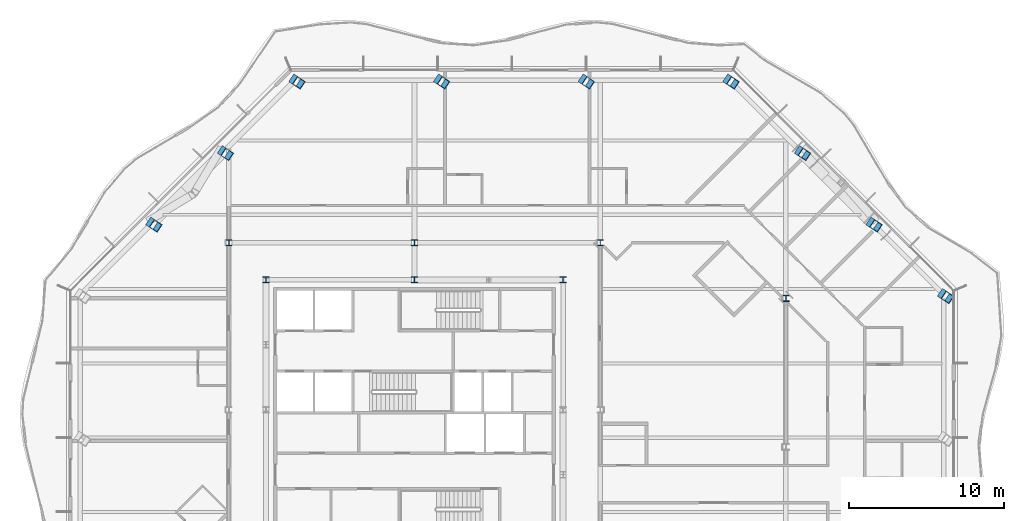
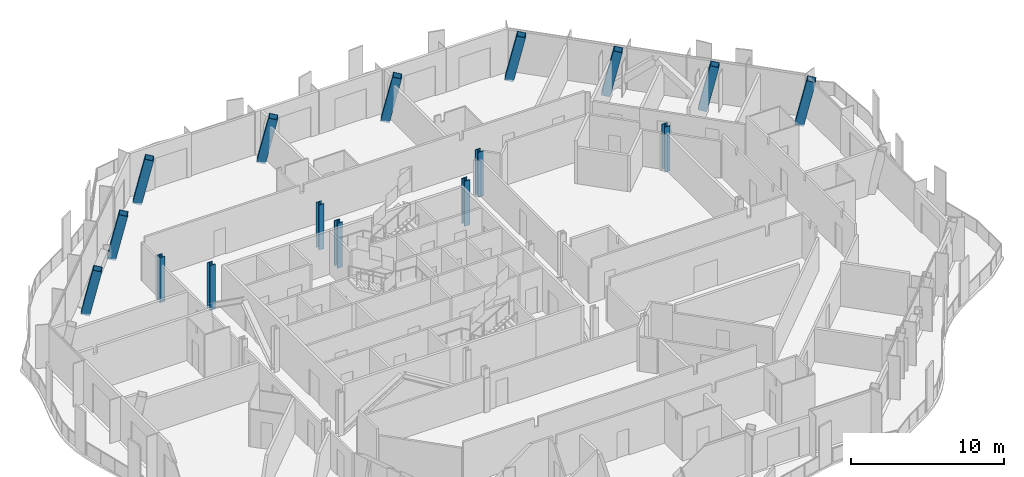
# One storey, part 2 of 19: 16 columns.
"""IFC4 building model written with IfcOpenShell, lengths in metres."""

import ifcopenshell
import ifcopenshell.guid

model = None  # the IFC model being written
_history = None  # IfcOwnerHistory: only IFC2X3 demands one
_inside = {}  # id of a spatial element -> (the spatial element, [elements in it])
_under = {}  # id of a project, library or spatial element -> (it, [spatial elements below it])
_declared = {}  # id of a project -> (the project, [libraries it declares])
_typed = {}  # id of a type object -> (the type object, [elements of that type])
_made_of = {}  # id of a material, layer set ... -> (it, [elements and type objects made of it])


def new_model(schema):
    """Start an empty IFC model of exactly this schema.

    Asked for "IFC4X3", IfcOpenShell would pick the latest addendum, in which some entities
    have other attributes; the version numbers below select the first issue.
    IFC2X3 requires an IfcOwnerHistory on every rooted entity: one is made here for all.
    """
    global model, _history
    if schema == "IFC4X3":
        model = ifcopenshell.file(schema_version=(4, 3, 0, 0))
    else:
        model = ifcopenshell.file(schema=schema)
    _inside.clear()
    _under.clear()
    _declared.clear()
    _typed.clear()
    _made_of.clear()
    _history = None
    if model.schema == "IFC2X3":
        org = make("IfcOrganization", Name="unknown")
        user = make(
            "IfcPersonAndOrganization",
            ThePerson=make("IfcPerson", FamilyName="unknown"),
            TheOrganization=org,
        )
        app = make(
            "IfcApplication",
            ApplicationDeveloper=org,
            Version="unknown",
            ApplicationFullName="unknown",
            ApplicationIdentifier="unknown",
        )
        _history = make(
            "IfcOwnerHistory",
            OwningUser=user,
            OwningApplication=app,
            ChangeAction="ADDED",
            CreationDate=0,
        )
    return model


def make(cls, **values):
    """One entity of the class cls with the attributes given. An attribute that is None is left unset."""
    return model.create_entity(
        cls, **{name: value for name, value in values.items() if value is not None}
    )


def rooted(cls, **values):
    """An entity with a GlobalId (a new one), such as an element, a storey or a relation."""
    return make(cls, GlobalId=ifcopenshell.guid.new(), OwnerHistory=_history, **values)


def si_unit(unit_type, name, prefix=None):
    """IfcSIUnit, for example si_unit("LENGTHUNIT", "METRE", prefix="MILLI")."""
    return make("IfcSIUnit", UnitType=unit_type, Prefix=prefix, Name=name)


def assignment(units):
    """IfcUnitAssignment: the units of a project."""
    return None if units is None else make("IfcUnitAssignment", Units=units)


def point(xyz):
    """IfcCartesianPoint."""
    return None if xyz is None else make("IfcCartesianPoint", Coordinates=xyz)


def direction(xyz):
    """IfcDirection."""
    return None if xyz is None else make("IfcDirection", DirectionRatios=xyz)


def frame(location, z_axis=None, x_axis=None):
    """IfcAxis2Placement3D, a coordinate frame: its origin and axes. An axis left out is left unset."""
    return make(
        "IfcAxis2Placement3D",
        Location=point(location),
        Axis=direction(z_axis),
        RefDirection=direction(x_axis),
    )


def frame_2d(location, x_axis=None):
    """IfcAxis2Placement2D, a coordinate frame in the plane: its origin and x axis."""
    return make(
        "IfcAxis2Placement2D", Location=point(location), RefDirection=direction(x_axis)
    )


def origin():
    """The frame at (0, 0, 0) with its axes left unset."""
    return frame((0.0, 0.0, 0.0))


def origin_2d():
    """The frame at (0, 0) in the plane with its x axis left unset."""
    return frame_2d((0.0, 0.0))


def place(relative_to, where):
    """IfcLocalPlacement: puts the frame where relative to a parent placement (None: the world)."""
    return make(
        "IfcLocalPlacement", PlacementRelTo=relative_to, RelativePlacement=where
    )


def context(
    kind, dimensions, precision=None, world=None, true_north=None, identifier=None
):
    """IfcGeometricRepresentationContext, for example the 3D "Model" context."""
    return make(
        "IfcGeometricRepresentationContext",
        ContextIdentifier=identifier,
        ContextType=kind,
        CoordinateSpaceDimension=dimensions,
        Precision=precision,
        WorldCoordinateSystem=world,
        TrueNorth=true_north,
    )


def subcontext(parent, identifier, kind, view, scale=None):
    """IfcGeometricRepresentationSubContext, for example "Body" below "Model"."""
    return make(
        "IfcGeometricRepresentationSubContext",
        ContextIdentifier=identifier,
        ContextType=kind,
        ParentContext=parent,
        TargetScale=scale,
        TargetView=view,
    )


def project(units=None, contexts=None):
    """IfcProject with its units and contexts."""
    return rooted(
        "IfcProject",
        Name="project",
        RepresentationContexts=contexts,
        UnitsInContext=assignment(units),
    )


def spatial(cls, under=None, at=None, **own):
    """A site, building, storey or space (cls), placed at a placement, below another one or the project."""
    s = rooted(cls, ObjectPlacement=at, **own)
    if under is not None:
        _under.setdefault(under.id(), (under, []))[1].append(s)
    return s


def profile(cls, at=None, kind="AREA", **sizes):
    """A parametric profile (cls). Its sizes go by their IFC names, for example OverallWidth=200.0."""
    return make(cls, ProfileType=kind, Position=at, **sizes)


def hollow_rectangle(**sizes):
    """IfcRectangleHollowProfileDef."""
    return profile("IfcRectangleHollowProfileDef", **sizes)


def i_section(**sizes):
    """IfcIShapeProfileDef."""
    return profile("IfcIShapeProfileDef", **sizes)


def extrude(swept, where, along, depth):
    """IfcExtrudedAreaSolid: the profile swept, set in the frame where, extruded along a direction by depth."""
    return make(
        "IfcExtrudedAreaSolid",
        SweptArea=swept,
        Position=where,
        ExtrudedDirection=direction(along),
        Depth=depth,
    )


def clip(a, b, op="DIFFERENCE"):
    """IfcBooleanClippingResult: the solid a cut by the half space b."""
    return make(
        "IfcBooleanClippingResult", Operator=op, FirstOperand=a, SecondOperand=b
    )


def halfspace(plane, agree):
    """IfcHalfSpaceSolid: all space on one side of the plane z = 0 of the frame plane."""
    return make(
        "IfcHalfSpaceSolid",
        BaseSurface=make("IfcPlane", Position=plane),
        AgreementFlag=agree,
    )


def shape(context_of_items, identifier, shape_type, items):
    """IfcShapeRepresentation: the items that make up one representation, for example the "Body"."""
    return make(
        "IfcShapeRepresentation",
        ContextOfItems=context_of_items,
        RepresentationIdentifier=identifier,
        RepresentationType=shape_type,
        Items=items,
    )


def material(Name=None, Category=None):
    """IfcMaterial."""
    return make("IfcMaterial", Name=Name, Category=Category)


def material_profile(
    of_material, cross_section, Name=None, Category=None, Priority=None
):
    """IfcMaterialProfile: a cross section and its material."""
    return make(
        "IfcMaterialProfile",
        Name=Name,
        Material=of_material,
        Profile=cross_section,
        Priority=Priority,
        Category=Category,
    )


def profile_set(profiles, Name=None, composite=None):
    """IfcMaterialProfileSet."""
    return make(
        "IfcMaterialProfileSet",
        Name=Name,
        MaterialProfiles=profiles,
        CompositeProfile=composite,
    )


def made_of(thing, what):
    """Note that an element or type object is made of a material, layer set ...; save() writes the relation."""
    if what is not None:
        _made_of.setdefault(what.id(), (what, []))[1].append(thing)
    return thing


def type_object(cls, material=None, **own):
    """A type object (cls), such as IfcWallType, which elements share."""
    return made_of(rooted(cls, **own), material)


def element(
    cls,
    number,
    at=None,
    inside=None,
    cuts=None,
    type_object=None,
    material=None,
    context=None,
    identifier="Body",
    shape_type=None,
    held_by="IfcProductDefinitionShape",
    body=None,
    shapes=None,
    **own,
):
    """One element of the class cls, such as IfcWall. Its Tag is "e" and its number.

    at: its placement. inside: the storey or other place that contains it. cuts: it is an
    opening in that element (IfcRelVoidsElement). A single representation is given by context,
    identifier, shape_type and body (its items); several are given by shapes. held_by: the class
    of the entity that holds the representations. save() writes the other relations.
    """
    e = rooted(cls, Tag="e%d" % number, ObjectPlacement=at, **own)
    if body is not None:
        shapes = [shape(context, identifier, shape_type, body)]
    if shapes is not None:
        e.Representation = make(held_by, Representations=shapes)
    if inside is not None:
        _inside.setdefault(inside.id(), (inside, []))[1].append(e)
    if cuts is not None:
        rooted(
            "IfcRelVoidsElement", RelatingBuildingElement=cuts, RelatedOpeningElement=e
        )
    if type_object is not None:
        _typed.setdefault(type_object.id(), (type_object, []))[1].append(e)
    return made_of(e, material)


def aggregate(whole, parts):
    """IfcRelAggregates: a whole, such as a stair, and the parts it consists of."""
    return rooted("IfcRelAggregates", RelatingObject=whole, RelatedObjects=parts)


def save(model, path):
    """Write the relations noted so far, then the file.

    IfcRelAggregates (storeys below a building ...), IfcRelContainedInSpatialStructure (elements
    in a storey), IfcRelDefinesByType, IfcRelAssociatesMaterial and IfcRelDeclares: one each for
    every whole, place, type object, material and project.
    """
    for whole, parts in _under.values():
        aggregate(whole, parts)
    for where, things in _inside.values():
        rooted(
            "IfcRelContainedInSpatialStructure",
            RelatedElements=things,
            RelatingStructure=where,
        )
    for kind, things in _typed.values():
        rooted("IfcRelDefinesByType", RelatedObjects=things, RelatingType=kind)
    for what, things in _made_of.values():
        rooted("IfcRelAssociatesMaterial", RelatedObjects=things, RelatingMaterial=what)
    for by, libraries in _declared.values():
        rooted("IfcRelDeclares", RelatingContext=by, RelatedDefinitions=libraries)
    model.write(path)


model = new_model("IFC4")

# Units and contexts
model_context = context("Model", 3, precision=1e-05, world=origin(), true_north=direction((0.0, 1.0)))
body_context = subcontext(model_context, "Body", "Model", "MODEL_VIEW")
ifc_project = project(units=[si_unit("LENGTHUNIT", "METRE"), si_unit("AREAUNIT", "SQUARE_METRE"), si_unit("VOLUMEUNIT", "CUBIC_METRE"), si_unit("PLANEANGLEUNIT", "RADIAN"), si_unit("MASSUNIT", "GRAM", prefix="KILO")], contexts=[model_context])

# Site, building, storey
site_placement = place(None, origin())
site = spatial("IfcSite", under=ifc_project, at=site_placement, CompositionType="ELEMENT")
building_placement = place(site_placement, origin())
building = spatial("IfcBuilding", under=site, at=building_placement, Name="Cairn Pilgrim Tower", CompositionType="ELEMENT")
storey_placement = place(building_placement, frame((0.0, 0.0, 193.800048828125)))
storey = spatial("IfcBuildingStorey", under=building, at=storey_placement, Name="L49", CompositionType="ELEMENT", Elevation=193.800048828125)

# Columns
ifc_material_1 = material(Name="Structural steel S460M", Category="steel")
ifc_material_profile_1 = material_profile(ifc_material_1, hollow_rectangle(XDim=0.60009765625, YDim=0.60009765625, WallThickness=0.034912109375, at=origin_2d()), Name="BOX 600x600x35")
ifc_profile_set_1 = profile_set([ifc_material_profile_1], Name="Structural steel S460M")
column_type_1 = type_object("IfcColumnType", Name="BOX 600x600x35", PredefinedType="COLUMN", material=ifc_profile_set_1)
for number, where, z_axis, x_axis, name in (
    (1, (41.39990234375, 9.8271484375, -0.150146484375), (0.18292158996, -0.12192567461, 0.97553770906), (0.55463074681, 0.832096589761, 0.0), "PC2-NE1"),
    (2, (36.775634765625, 14.451416015625, -0.150146484375), (0.18292158996, -0.12192567461, 0.97553770906), (0.55463074681, 0.832096589761, 0.0), "PC2-NE2"),
):
    element("IfcColumn", number, at=place(storey_placement, frame(where, z_axis=z_axis, x_axis=x_axis)), inside=storey, type_object=column_type_1, Name=name, PredefinedType="COLUMN", context=body_context, shape_type="Clipping", body=[
        clip(clip(extrude(hollow_rectangle(XDim=0.60009765625, YDim=0.60009765625, WallThickness=0.034912109375, at=origin_2d()), origin(), (0.0, 0.0, 1.0), 3.6904296875), halfspace(frame((0.0, 0.0, 0.0205078125), z_axis=(0.0, 0.0, 1.0), x_axis=(1.0, 0.0, 0.0)), True)), halfspace(frame((0.0, 0.0, 3.66845703125), z_axis=(0.0, 0.0, 1.0), x_axis=(1.0, 0.0, 0.0)), False)),
    ])
column_1_placement = place(storey_placement, frame((32.151611328125, 19.07568359375, -0.150146484375), z_axis=(0.182857646312, -0.121927149838, 0.975549512489), x_axis=(0.554769659169, 0.83200398152, 0.0)))
element("IfcColumn", 3, at=column_1_placement, inside=storey, type_object=column_type_1, Name="PC2-NE3", PredefinedType="COLUMN", context=body_context, shape_type="Clipping", body=[
    clip(clip(extrude(hollow_rectangle(XDim=0.60009765625, YDim=0.60009765625, WallThickness=0.034912109375, at=origin_2d()), origin(), (0.0, 0.0, 1.0), 3.6904296875), halfspace(frame((0.0, 0.0, 0.0205078125), z_axis=(0.0, 0.0, 1.0), x_axis=(1.0, 0.0, 0.0)), True)), halfspace(frame((0.0, 0.0, 3.668212890625), z_axis=(0.0, 0.0, 1.0), x_axis=(1.0, 0.0, 0.0)), False)),
])
column_2_placement = place(storey_placement, frame((27.527099609375, 23.699951171875, -0.150146484375), z_axis=(0.18292158996, -0.12192567461, 0.97553770906), x_axis=(0.55463074681, 0.832096589761, 0.0)))
element("IfcColumn", 4, at=column_2_placement, inside=storey, type_object=column_type_1, Name="PC2-N1", PredefinedType="COLUMN", context=body_context, shape_type="Clipping", body=[
    clip(clip(extrude(hollow_rectangle(XDim=0.60009765625, YDim=0.60009765625, WallThickness=0.034912109375, at=origin_2d()), origin(), (0.0, 0.0, 1.0), 3.6904296875), halfspace(frame((0.0, 0.0, 0.0205078125), z_axis=(0.0, 0.0, 1.0), x_axis=(1.0, 0.0, 0.0)), True)), halfspace(frame((0.0, 0.0, 3.66845703125), z_axis=(0.0, 0.0, 1.0), x_axis=(1.0, 0.0, 0.0)), False)),
])
column_3_placement = place(storey_placement, frame((18.17578125, 23.699951171875, -0.150146484375), z_axis=(0.182857646312, -0.121927149838, 0.975549512489), x_axis=(0.554769659169, 0.83200398152, 0.0)))
element("IfcColumn", 5, at=column_3_placement, inside=storey, type_object=column_type_1, Name="PC2-N2", PredefinedType="COLUMN", context=body_context, shape_type="Clipping", body=[
    clip(clip(extrude(hollow_rectangle(XDim=0.60009765625, YDim=0.60009765625, WallThickness=0.034912109375, at=origin_2d()), origin(), (0.0, 0.0, 1.0), 3.6904296875), halfspace(frame((0.0, 0.0, 0.0205078125), z_axis=(0.0, 0.0, 1.0), x_axis=(1.0, 0.0, 0.0)), True)), halfspace(frame((0.0, 0.0, 3.668212890625), z_axis=(0.0, 0.0, 1.0), x_axis=(1.0, 0.0, 0.0)), False)),
])
column_4_placement = place(storey_placement, frame((8.82421875, 23.699951171875, -0.150146484375), z_axis=(0.18292158996, -0.12192567461, 0.97553770906), x_axis=(0.55463074681, 0.832096589761, 0.0)))
element("IfcColumn", 6, at=column_4_placement, inside=storey, type_object=column_type_1, Name="PC2-N3", PredefinedType="COLUMN", context=body_context, shape_type="Clipping", body=[
    clip(clip(extrude(hollow_rectangle(XDim=0.60009765625, YDim=0.60009765625, WallThickness=0.034912109375, at=origin_2d()), origin(), (0.0, 0.0, 1.0), 3.6904296875), halfspace(frame((0.0, 0.0, 0.0205078125), z_axis=(0.0, 0.0, 1.0), x_axis=(1.0, 0.0, 0.0)), True)), halfspace(frame((0.0, 0.0, 3.66845703125), z_axis=(0.0, 0.0, 1.0), x_axis=(1.0, 0.0, 0.0)), False)),
])
column_5_placement = place(storey_placement, frame((-0.527099609375, 23.699951171875, -0.150146484375), z_axis=(0.182857646312, -0.121927149838, 0.975549512489), x_axis=(0.554769659169, 0.83200398152, 0.0)))
element("IfcColumn", 7, at=column_5_placement, inside=storey, type_object=column_type_1, Name="PC2-NW1", PredefinedType="COLUMN", context=body_context, shape_type="Clipping", body=[
    clip(clip(extrude(hollow_rectangle(XDim=0.60009765625, YDim=0.60009765625, WallThickness=0.034912109375, at=origin_2d()), origin(), (0.0, 0.0, 1.0), 3.6904296875), halfspace(frame((0.0, 0.0, 0.0205078125), z_axis=(0.0, 0.0, 1.0), x_axis=(1.0, 0.0, 0.0)), True)), halfspace(frame((0.0, 0.0, 3.668212890625), z_axis=(0.0, 0.0, 1.0), x_axis=(1.0, 0.0, 0.0)), False)),
])
for number, where, z_axis, x_axis, name in (
    (8, (-5.151611328125, 19.07568359375, -0.150146484375), (0.18292158996, -0.12192567461, 0.97553770906), (0.55463074681, 0.832096589761, 0.0), "PC2-NW2"),
    (9, (-9.775634765625, 14.451416015625, -0.150146484375), (0.18292158996, -0.12192567461, 0.97553770906), (0.55463074681, 0.832096589761, 0.0), "PC2-NW3"),
):
    element("IfcColumn", number, at=place(storey_placement, frame(where, z_axis=z_axis, x_axis=x_axis)), inside=storey, type_object=column_type_1, Name=name, PredefinedType="COLUMN", context=body_context, shape_type="Clipping", body=[
        clip(clip(extrude(hollow_rectangle(XDim=0.60009765625, YDim=0.60009765625, WallThickness=0.034912109375, at=origin_2d()), origin(), (0.0, 0.0, 1.0), 3.6904296875), halfspace(frame((0.0, 0.0, 0.0205078125), z_axis=(0.0, 0.0, 1.0), x_axis=(1.0, 0.0, 0.0)), True)), halfspace(frame((0.0, 0.0, 3.66845703125), z_axis=(0.0, 0.0, 1.0), x_axis=(1.0, 0.0, 0.0)), False)),
    ])
ifc_material_2 = material(Name="Structural steel S355J2", Category="steel")
ifc_material_profile_2 = material_profile(ifc_material_2, i_section(OverallWidth=0.39892578125, OverallDepth=0.39306640625, WebThickness=0.022705078125, FlangeThickness=0.03662109375, FilletRadius=0.014892578125, at=origin_2d()), Name="HD 400x287")
ifc_profile_set_2 = profile_set([ifc_material_profile_2], Name="Structural steel S355J2")
column_type_2 = type_object("IfcColumnType", Name="HD 400x287", PredefinedType="COLUMN", material=ifc_profile_set_2)
for number, where, z_axis, x_axis, name in (
    (10, (-4.800048828125, 13.199951171875, -0.150146484375), (0.0, 0.0, 1.0), (1.0, 0.0, 0.0), "IC-6"),
    (11, (7.199951171875, 13.199951171875, -0.150146484375), (0.0, 0.0, 1.0), (1.0, 0.0, 0.0), "IC-7"),
    (12, (19.199951171875, 13.199951171875, -0.150146484375), (0.0, 0.0, 1.0), (1.0, 0.0, 0.0), "IC-8"),
):
    element("IfcColumn", number, at=place(storey_placement, frame(where, z_axis=z_axis, x_axis=x_axis)), inside=storey, type_object=column_type_2, Name=name, PredefinedType="COLUMN", context=body_context, shape_type="SweptSolid", body=[
        extrude(i_section(OverallWidth=0.39892578125, OverallDepth=0.39306640625, WebThickness=0.022705078125, FlangeThickness=0.03662109375, FilletRadius=0.014892578125, at=origin_2d()), origin(), (0.0, 0.0, 1.0), 3.60009765625),
    ])
ifc_material_profile_3 = material_profile(ifc_material_1, i_section(OverallWidth=0.404052734375, OverallDepth=0.406982421875, WebThickness=0.027099609375, FlangeThickness=0.043701171875, FilletRadius=0.014892578125, at=origin_2d()), Name="HD 400x347")
ifc_profile_set_3 = profile_set([ifc_material_profile_3], Name="Structural steel S460M")
column_type_3 = type_object("IfcColumnType", Name="HD 400x347", PredefinedType="COLUMN", material=ifc_profile_set_3)
for number, where, z_axis, x_axis, name in (
    (13, (-2.39990234375, 10.800048828125, -0.150146484375), (0.0, 0.0, 1.0), (1.0, 0.0, 0.0), "KC-6"),
    (14, (7.199951171875, 10.800048828125, -0.150146484375), (0.0, 0.0, 1.0), (1.0, 0.0, 0.0), "KC-7"),
    (15, (16.800048828125, 10.800048828125, -0.150146484375), (0.0, 0.0, 1.0), (1.0, 0.0, 0.0), "KC-8"),
):
    element("IfcColumn", number, at=place(storey_placement, frame(where, z_axis=z_axis, x_axis=x_axis)), inside=storey, type_object=column_type_3, Name=name, PredefinedType="COLUMN", context=body_context, shape_type="SweptSolid", body=[
        extrude(i_section(OverallWidth=0.404052734375, OverallDepth=0.406982421875, WebThickness=0.027099609375, FlangeThickness=0.043701171875, FilletRadius=0.014892578125, at=origin_2d()), origin(), (0.0, 0.0, 1.0), 3.60009765625),
    ])
ifc_material_profile_4 = material_profile(ifc_material_1, i_section(OverallWidth=0.408935546875, OverallDepth=0.425048828125, WebThickness=0.03271484375, FlangeThickness=0.052490234375, FilletRadius=0.014892578125, at=origin_2d()), Name="HD 400x421")
ifc_profile_set_4 = profile_set([ifc_material_profile_4], Name="Structural steel S460M")
column_type_4 = type_object("IfcColumnType", Name="HD 400x421", PredefinedType="COLUMN", material=ifc_profile_set_4)
column_6_placement = place(storey_placement, frame((31.199951171875, 9.60009765625, -0.150146484375), z_axis=(0.0, 0.0, 1.0), x_axis=(1.0, 0.0, 0.0)))
element("IfcColumn", 16, at=column_6_placement, inside=storey, type_object=column_type_4, Name="WC-WE+2", PredefinedType="COLUMN", context=body_context, shape_type="SweptSolid", body=[
    extrude(i_section(OverallWidth=0.408935546875, OverallDepth=0.425048828125, WebThickness=0.03271484375, FlangeThickness=0.052490234375, FilletRadius=0.014892578125, at=origin_2d()), origin(), (0.0, 0.0, 1.0), 3.60009765625),
])

save(model, "model.ifc")
